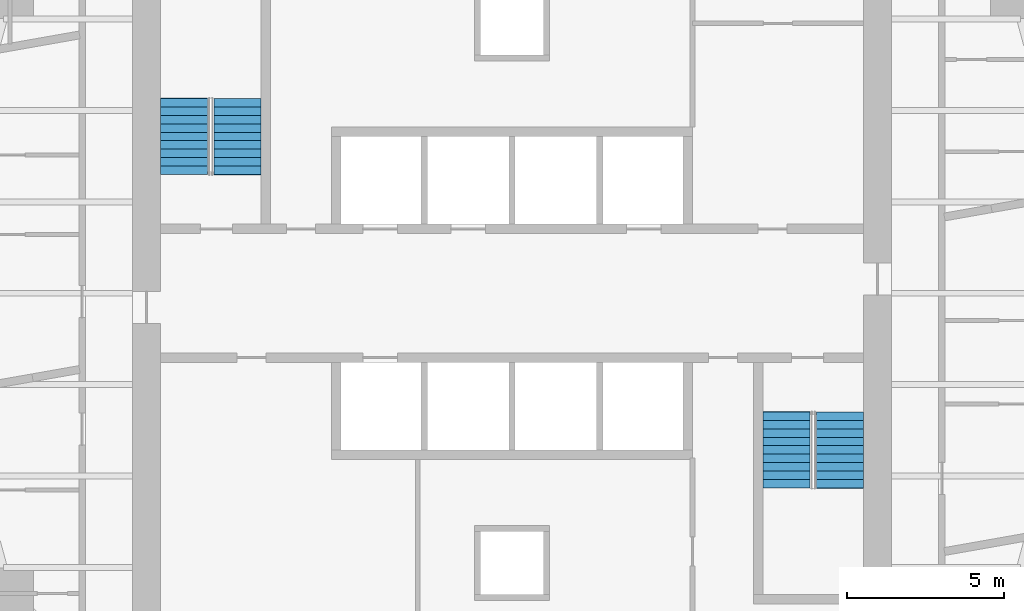
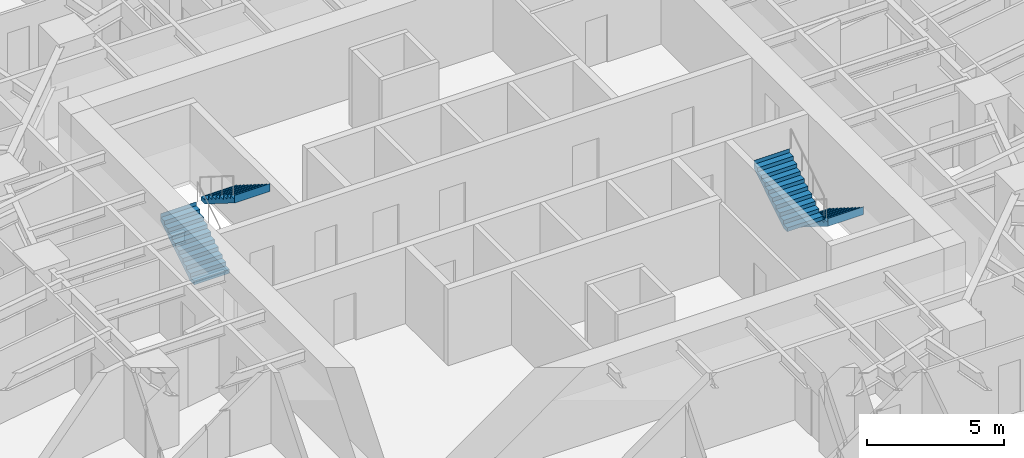
# One storey, part 13 of 14: 4 stair flights, 2 elements without a shape of their own.
"""IFC4 building model written with IfcOpenShell, lengths in metres."""

from ifc_helpers import new_model, si_unit, direction, frame, origin, place, context, subcontext, project, spatial, polyline, outline, extrude, material, type_object, element, aggregate, save


model = new_model("IFC4")

# Units and contexts
model_context = context("Model", 3, precision=1e-05, world=origin(), true_north=direction((0.0, 1.0)))
body_context = subcontext(model_context, "Body", "Model", "MODEL_VIEW")
ifc_project = project(units=[si_unit("LENGTHUNIT", "METRE"), si_unit("AREAUNIT", "SQUARE_METRE"), si_unit("VOLUMEUNIT", "CUBIC_METRE"), si_unit("PLANEANGLEUNIT", "RADIAN"), si_unit("MASSUNIT", "GRAM", prefix="KILO")], contexts=[model_context])

# Site, building, storey
site_placement = place(None, origin())
site = spatial("IfcSite", under=ifc_project, at=site_placement, CompositionType="ELEMENT")
building_placement = place(site_placement, origin())
building = spatial("IfcBuilding", under=site, at=building_placement, Name="Torsade Residences", CompositionType="ELEMENT")
storey_placement = place(building_placement, frame((0.0, 0.0, 99.800048828125)))
storey = spatial("IfcBuildingStorey", under=building, at=storey_placement, Name="L27", CompositionType="ELEMENT", Elevation=99.800048828125)

# Stair, stair flights
ifc_material_1 = material(Name="Precast concrete 40 MPa", Category="concrete")
stair_type = type_object("IfcStairType", Name="HALF-TURN FIRE STAIR 1500x3400", PredefinedType="HALF_TURN_STAIR", material=ifc_material_1)
stair_1_placement = place(storey_placement, origin())
stair_1 = element("IfcStair", 1, at=stair_1_placement, inside=storey, type_object=stair_type, Name="Stair ST1 L27", PredefinedType="HALF_TURN_STAIR")
ifc_material_2 = material(Name="Precast concrete 40 MPa", Category="concrete")
stair_flight_type = type_object("IfcStairFlightType", Name="PRECAST STAIR FLIGHT 1500x1700", PredefinedType="STRAIGHT", material=ifc_material_2)
stair_flight_1_placement = place(storey_placement, frame((29.550048828125, 33.780029296875, 0.0), z_axis=(0.0, 0.0, 1.0), x_axis=(0.0, 1.0, 0.0)))
stair_flight_1 = element("IfcStairFlight", 2, at=stair_flight_1_placement, type_object=stair_flight_type, Name="ST1 flight 1", NumberOfRisers=10, NumberOfTreads=9, PredefinedType="STRAIGHT", RiserHeight=0.17, TreadLength=0.27, context=body_context, shape_type="SweptSolid", body=[
    extrude(outline(polyline([(0.0, 0.0), (0.0, 0.169921875), (0.27001953125, 0.169921875), (0.27001953125, 0.340087890625), (0.5400390625, 0.340087890625), (0.5400390625, 0.510009765625), (0.81005859375, 0.510009765625), (0.81005859375, 0.679931640625), (1.080078125, 0.679931640625), (1.080078125, 0.85009765625), (1.35009765625, 0.85009765625), (1.35009765625, 1.02001953125), (1.6201171875, 1.02001953125), (1.6201171875, 1.18994140625), (1.889892578125, 1.18994140625), (1.889892578125, 1.360107421875), (2.159912109375, 1.360107421875), (2.159912109375, 1.530029296875), (2.429931640625, 1.530029296875), (2.429931640625, 1.699951171875), (2.43994140625, 1.699951171875), (2.43994140625, 1.352783203125), (2.429931640625, 1.352783203125), (0.28125, 0.0), (0.0, 0.0)])), frame((0.0, 0.75, 0.0), z_axis=(0.0, -1.0, 0.0), x_axis=(1.0, 0.0, 0.0)), (0.0, 0.0, 1.0), 1.5),
])
stair_flight_2_placement = place(storey_placement, frame((31.25, 36.2099609375, 1.699951171875), z_axis=(0.0, 0.0, 1.0), x_axis=(0.0, -1.0, 0.0)))
stair_flight_2 = element("IfcStairFlight", 3, at=stair_flight_2_placement, type_object=stair_flight_type, Name="ST1 flight 2", NumberOfRisers=10, NumberOfTreads=9, PredefinedType="STRAIGHT", RiserHeight=0.17, TreadLength=0.27, context=body_context, shape_type="SweptSolid", body=[
    extrude(outline(polyline([(0.0, 0.0), (0.0, 0.169921875), (0.27001953125, 0.169921875), (0.27001953125, 0.340087890625), (0.5400390625, 0.340087890625), (0.5400390625, 0.510009765625), (0.81005859375, 0.510009765625), (0.81005859375, 0.679931640625), (1.080078125, 0.679931640625), (1.080078125, 0.85009765625), (1.35009765625, 0.85009765625), (1.35009765625, 1.02001953125), (1.6201171875, 1.02001953125), (1.6201171875, 1.18994140625), (1.889892578125, 1.18994140625), (1.889892578125, 1.360107421875), (2.159912109375, 1.360107421875), (2.159912109375, 1.530029296875), (2.429931640625, 1.530029296875), (2.429931640625, 1.699951171875), (2.43994140625, 1.699951171875), (2.43994140625, 1.352783203125), (2.429931640625, 1.352783203125), (0.28125, 0.0), (0.0, 0.0)])), frame((0.0, 0.75, 0.0), z_axis=(0.0, -1.0, 0.0), x_axis=(1.0, 0.0, 0.0)), (0.0, 0.0, 1.0), 1.5),
])
aggregate(stair_1, [stair_flight_1, stair_flight_2])

stair_2_placement = place(storey_placement, origin())
stair_2 = element("IfcStair", 4, at=stair_2_placement, inside=storey, type_object=stair_type, Name="Stair ST2 L27", PredefinedType="HALF_TURN_STAIR")
stair_flight_3_placement = place(storey_placement, frame((50.449951171875, 26.219970703125, 0.0), z_axis=(0.0, 0.0, 1.0), x_axis=(0.0, -1.0, 0.0)))
stair_flight_3 = element("IfcStairFlight", 5, at=stair_flight_3_placement, type_object=stair_flight_type, Name="ST2 flight 1", NumberOfRisers=10, NumberOfTreads=9, PredefinedType="STRAIGHT", RiserHeight=0.17, TreadLength=0.27, context=body_context, shape_type="SweptSolid", body=[
    extrude(outline(polyline([(0.0, 0.0), (0.0, 0.169921875), (0.27001953125, 0.169921875), (0.27001953125, 0.340087890625), (0.5400390625, 0.340087890625), (0.5400390625, 0.510009765625), (0.81005859375, 0.510009765625), (0.81005859375, 0.679931640625), (1.080078125, 0.679931640625), (1.080078125, 0.85009765625), (1.35009765625, 0.85009765625), (1.35009765625, 1.02001953125), (1.6201171875, 1.02001953125), (1.6201171875, 1.18994140625), (1.889892578125, 1.18994140625), (1.889892578125, 1.360107421875), (2.159912109375, 1.360107421875), (2.159912109375, 1.530029296875), (2.429931640625, 1.530029296875), (2.429931640625, 1.699951171875), (2.43994140625, 1.699951171875), (2.43994140625, 1.352783203125), (2.429931640625, 1.352783203125), (0.28125, 0.0), (0.0, 0.0)])), frame((0.0, 0.75, 0.0), z_axis=(0.0, -1.0, 0.0), x_axis=(1.0, 0.0, 0.0)), (0.0, 0.0, 1.0), 1.5),
])
stair_flight_4_placement = place(storey_placement, frame((48.75, 23.7900390625, 1.699951171875), z_axis=(0.0, 0.0, 1.0), x_axis=(0.0, 1.0, 0.0)))
stair_flight_4 = element("IfcStairFlight", 6, at=stair_flight_4_placement, type_object=stair_flight_type, Name="ST2 flight 2", NumberOfRisers=10, NumberOfTreads=9, PredefinedType="STRAIGHT", RiserHeight=0.17, TreadLength=0.27, context=body_context, shape_type="SweptSolid", body=[
    extrude(outline(polyline([(0.0, 0.0), (0.0, 0.169921875), (0.27001953125, 0.169921875), (0.27001953125, 0.340087890625), (0.5400390625, 0.340087890625), (0.5400390625, 0.510009765625), (0.81005859375, 0.510009765625), (0.81005859375, 0.679931640625), (1.080078125, 0.679931640625), (1.080078125, 0.85009765625), (1.35009765625, 0.85009765625), (1.35009765625, 1.02001953125), (1.6201171875, 1.02001953125), (1.6201171875, 1.18994140625), (1.889892578125, 1.18994140625), (1.889892578125, 1.360107421875), (2.159912109375, 1.360107421875), (2.159912109375, 1.530029296875), (2.429931640625, 1.530029296875), (2.429931640625, 1.699951171875), (2.43994140625, 1.699951171875), (2.43994140625, 1.352783203125), (2.429931640625, 1.352783203125), (0.28125, 0.0), (0.0, 0.0)])), frame((0.0, 0.75, 0.0), z_axis=(0.0, -1.0, 0.0), x_axis=(1.0, 0.0, 0.0)), (0.0, 0.0, 1.0), 1.5),
])
aggregate(stair_2, [stair_flight_3, stair_flight_4])

save(model, "model.ifc")
